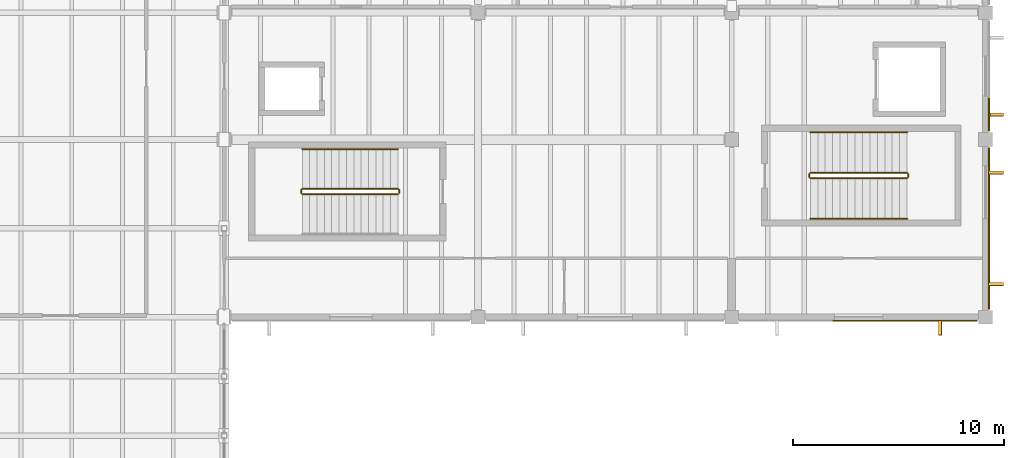
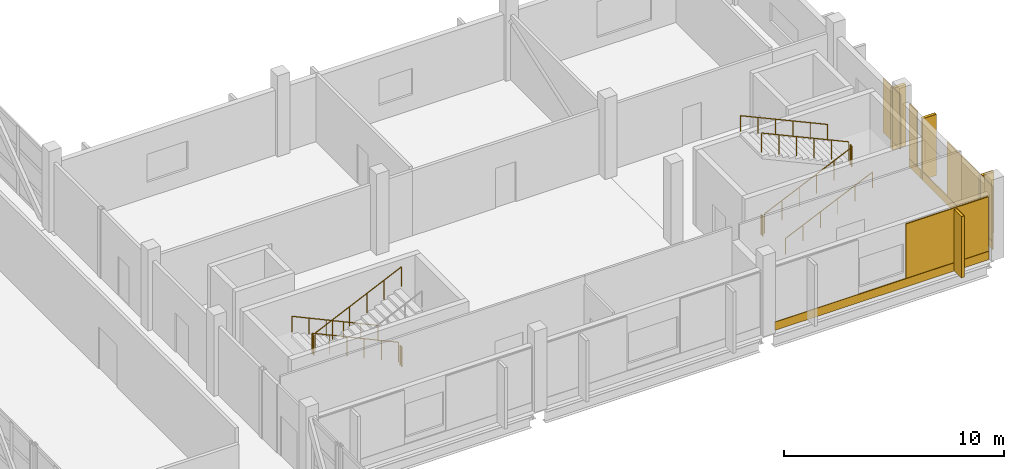
# One storey, part 62 of 63: 11 railings, 10 coverings, 4 shading devices.
"""IFC4 building model written with IfcOpenShell, lengths in metres."""

from ifc_helpers import new_model, si_unit, direction, frame, origin, origin_2d, place, context, subcontext, project, spatial, rectangle, circle, extrude, material, layer, layer_set, type_object, element, save


model = new_model("IFC4")

# Units and contexts
model_context = context("Model", 3, precision=1e-05, world=origin(), true_north=direction((0.0, 1.0)))
body_context = subcontext(model_context, "Body", "Model", "MODEL_VIEW")
ifc_project = project(units=[si_unit("LENGTHUNIT", "METRE"), si_unit("AREAUNIT", "SQUARE_METRE"), si_unit("VOLUMEUNIT", "CUBIC_METRE"), si_unit("PLANEANGLEUNIT", "RADIAN"), si_unit("MASSUNIT", "GRAM", prefix="KILO")], contexts=[model_context])

# Site, building, storey
site_placement = place(None, origin())
site = spatial("IfcSite", under=ifc_project, at=site_placement, CompositionType="ELEMENT")
building_placement = place(site_placement, origin())
building = spatial("IfcBuilding", under=site, at=building_placement, Name="Kelmvaro Bay Concert Hall", CompositionType="ELEMENT")
storey_placement = place(building_placement, frame((0.0, 0.0, 13.800048828125)))
storey = spatial("IfcBuildingStorey", under=building, at=storey_placement, Name="L03", CompositionType="ELEMENT", Elevation=13.800048828125)

# Shading devices
ifc_material_1 = material(Name="Anodised Extruded Aluminium 6063-T6", Category="aluminium")
ifc_layer_1 = layer(ifc_material_1, 3.39990234375)
ifc_layer_set_1 = layer_set([ifc_layer_1], Name="Anodised Extruded Aluminium 6063-T6")
shading_device_type = type_object("IfcShadingDeviceType", Name="Bauhaus Vertical Solar Brise-Soleil Fin 720x3400", PredefinedType="SHUTTER", material=ifc_layer_set_1)
for number, where, z_axis, x_axis, name in (
    (1, (165.85888671875, 15.10400390625, 0.06005859375), (0.0, 0.0, 1.0), (-1.0, 0.0, 0.0), "L03 Solar Brise-Soleil Fin 171"),
    (2, (168.49609375, 22.43505859375, 0.06005859375), (0.0, 0.0, 1.0), (0.0, -1.0, 0.0), "L03 Solar Brise-Soleil Fin 179"),
    (3, (168.49609375, 17.1650390625, 0.06005859375), (0.0, 0.0, 1.0), (0.0, -1.0, 0.0), "L03 Solar Brise-Soleil Fin 180"),
    (4, (168.49609375, 25.180908203125, 0.06005859375), (0.0, 0.0, 1.0), (0.0, -1.0, 0.0), "L03 Solar Brise-Soleil Fin 182"),
):
    element("IfcShadingDevice", number, at=place(storey_placement, frame(where, z_axis=z_axis, x_axis=x_axis)), inside=storey, type_object=shading_device_type, Name=name, PredefinedType="SHUTTER", context=body_context, shape_type="SweptSolid", body=[
        extrude(rectangle(XDim=0.159912109375, YDim=0.719970703125, at=origin_2d()), origin(), (0.0, 0.0, 1.0), 3.39990234375),
    ])

# Coverings
ifc_material_2 = material(Name="PVDF-Coated Architectural Aluminium", Category="aluminium")
ifc_layer_2 = layer(ifc_material_2, 0.0400390625)
ifc_layer_set_2 = layer_set([ifc_layer_2], Name="PVDF-Coated Architectural Aluminium")
covering_type_1 = type_object("IfcCoveringType", Name="De Stijl Enamelled Aluminium Fascia Panel 40", PredefinedType="CLADDING", material=ifc_layer_set_2)
for number, where, z_axis, x_axis, name in (
    (5, (165.85888671875, 15.10400390625, 0.06005859375), (0.0, 0.0, 1.0), (-1.0, 0.0, 0.0), "L03 Architectural Vertical Fin Cladding 0808"),
    (6, (168.49609375, 22.43505859375, 0.06005859375), (0.0, 0.0, 1.0), (0.0, -1.0, 0.0), "L03 Architectural Vertical Fin Cladding 0828"),
    (7, (168.49609375, 17.1650390625, 0.06005859375), (0.0, 0.0, 1.0), (0.0, -1.0, 0.0), "L03 Architectural Vertical Fin Cladding 0829"),
    (8, (168.49609375, 25.180908203125, 0.06005859375), (0.0, 0.0, 1.0), (0.0, -1.0, 0.0), "L03 Architectural Vertical Fin Cladding 0834"),
):
    element("IfcCovering", number, at=place(storey_placement, frame(where, z_axis=z_axis, x_axis=x_axis)), inside=storey, type_object=covering_type_1, Name=name, PredefinedType="CLADDING", context=body_context, shape_type="SweptSolid", body=[
        extrude(rectangle(XDim=0.139892578125, YDim=0.699951171875, at=origin_2d()), origin(), (0.0, 0.0, 1.0), 3.39990234375),
    ])
ifc_material_3 = material(Name="Honed Florida Limestone Travertine", Category="masonry")
ifc_layer_3 = layer(ifc_material_3, 0.054931640625)
ifc_layer_set_3 = layer_set([ifc_layer_3], Name="Honed Florida Limestone Travertine")
covering_type_2 = type_object("IfcCoveringType", Name="Honed Florida Travertine Rainscreen Cladding 55", PredefinedType="CLADDING", material=ifc_layer_set_3)
covering_1_placement = place(storey_placement, frame((162.0, 15.4345703125, 0.0400390625), z_axis=(0.0, 0.0, 1.0), x_axis=(-1.0, 0.0, 0.0)))
element("IfcCovering", 9, at=covering_1_placement, inside=storey, type_object=covering_type_2, Name="L03 Travertine Sill Band 0807", PredefinedType="CLADDING", context=body_context, shape_type="SweptSolid", body=[
    extrude(rectangle(XDim=11.22998046875, YDim=0.054931640625, at=origin_2d()), origin(), (0.0, 0.0, 1.0), 0.4599609375),
])
covering_2_placement = place(storey_placement, frame((165.422607421875, 15.4345703125, 0.52001953125), z_axis=(0.0, 0.0, 1.0), x_axis=(-1.0, 0.0, 0.0)))
element("IfcCovering", 10, at=covering_2_placement, inside=storey, type_object=covering_type_2, Name="L03 Travertine Pier Panel 0810", PredefinedType="CLADDING", context=body_context, shape_type="SweptSolid", body=[
    extrude(rectangle(XDim=4.344970703125, YDim=0.054931640625, at=origin_2d()), origin(), (0.0, 0.0, 1.0), 3.01904296875),
])
covering_3_placement = place(storey_placement, frame((168.16552734375, 19.800048828125, 0.0400390625), z_axis=(0.0, 0.0, 1.0), x_axis=(0.0, -1.0, 0.0)))
element("IfcCovering", 11, at=covering_3_placement, inside=storey, type_object=covering_type_2, Name="L03 Travertine Sill Band 0827", PredefinedType="CLADDING", context=body_context, shape_type="SweptSolid", body=[
    extrude(rectangle(XDim=7.6298828125, YDim=0.054931640625, at=origin_2d()), origin(), (0.0, 0.0, 1.0), 0.4599609375),
])
covering_4_placement = place(storey_placement, frame((168.16552734375, 23.22509765625, 0.52001953125), z_axis=(0.0, 0.0, 1.0), x_axis=(0.0, -1.0, 0.0)))
element("IfcCovering", 12, at=covering_4_placement, inside=storey, type_object=covering_type_2, Name="L03 Travertine Pier Panel 0830", PredefinedType="CLADDING", context=body_context, shape_type="SweptSolid", body=[
    extrude(rectangle(XDim=0.739990234375, YDim=0.054931640625, at=origin_2d()), origin(), (0.0, 0.0, 1.0), 3.01806640625),
])
covering_5_placement = place(storey_placement, frame((168.16552734375, 18.080078125, 0.52001953125), z_axis=(0.0, 0.0, 1.0), x_axis=(0.0, -1.0, 0.0)))
element("IfcCovering", 13, at=covering_5_placement, inside=storey, type_object=covering_type_2, Name="L03 Travertine Pier Panel 0831", PredefinedType="CLADDING", context=body_context, shape_type="SweptSolid", body=[
    extrude(rectangle(XDim=4.14990234375, YDim=0.054931640625, at=origin_2d()), origin(), (0.0, 0.0, 1.0), 3.01806640625),
])
covering_6_placement = place(storey_placement, frame((168.16552734375, 25.177490234375, 0.52001953125), z_axis=(0.0, 0.0, 1.0), x_axis=(0.0, -1.0, 0.0)))
element("IfcCovering", 14, at=covering_6_placement, inside=storey, type_object=covering_type_2, Name="L03 Travertine Pier Panel 0836", PredefinedType="CLADDING", context=body_context, shape_type="SweptSolid", body=[
    extrude(rectangle(XDim=1.544921875, YDim=0.054931640625, at=origin_2d()), origin(), (0.0, 0.0, 1.0), 3.01806640625),
])

# Railings
ifc_material_4 = material(Name="Brushed Stainless Steel 316", Category="steel")
railing_type_1 = type_object("IfcRailingType", Name="Stair Stainless Wall Handrail 900", PredefinedType="HANDRAIL", material=ifc_material_4)
railing_1_placement = place(storey_placement, frame((140.219970703125, 23.550048828125, 0.16064453125)))
element("IfcRailing", 15, at=railing_1_placement, inside=storey, type_object=railing_type_1, Name="L03 ST-05 stair handrail 1", PredefinedType="HANDRAIL", context=body_context, shape_type="SweptSolid", body=[
    extrude(circle(Radius=0.02392578125, at=origin_2d()), frame((0.0, 0.0, 0.8759765625), z_axis=(-0.907853242209, 0.0, 0.419288075922), x_axis=(0.0, -1.0, 0.0)), (0.0, 0.0, 1.0), 4.983154296875),
    extrude(circle(Radius=0.02099609375, at=origin_2d()), origin(), (0.0, 0.0, 1.0), 0.851806640625),
    extrude(circle(Radius=0.02099609375, at=origin_2d()), frame((-0.90478515625, 0.0, 0.41796875)), (0.0, 0.0, 1.0), 0.851806640625),
    extrude(circle(Radius=0.02099609375, at=origin_2d()), frame((-1.8095703125, 0.0, 0.835693359375)), (0.0, 0.0, 1.0), 0.851806640625),
    extrude(circle(Radius=0.02099609375, at=origin_2d()), frame((-2.71435546875, 0.0, 1.253662109375)), (0.0, 0.0, 1.0), 0.851806640625),
    extrude(circle(Radius=0.02099609375, at=origin_2d()), frame((-3.619140625, 0.0, 1.67138671875)), (0.0, 0.0, 1.0), 0.851806640625),
    extrude(circle(Radius=0.02099609375, at=origin_2d()), frame((-4.52392578125, 0.0, 2.08935546875)), (0.0, 0.0, 1.0), 0.851806640625),
])
railing_2_placement = place(storey_placement, frame((159.719970703125, 20.25, 0.16064453125)))
element("IfcRailing", 16, at=railing_2_placement, inside=storey, type_object=railing_type_1, Name="L03 ST-06 stair handrail 1", PredefinedType="HANDRAIL", context=body_context, shape_type="SweptSolid", body=[
    extrude(circle(Radius=0.02392578125, at=origin_2d()), frame((0.0, 0.0, 0.8759765625), z_axis=(0.909662093554, 0.0, 0.415349100818), x_axis=(0.0, 1.0, 0.0)), (0.0, 0.0, 1.0), 5.0302734375),
    extrude(circle(Radius=0.02099609375, at=origin_2d()), origin(), (0.0, 0.0, 1.0), 0.851806640625),
    extrude(circle(Radius=0.02099609375, at=origin_2d()), frame((0.915283203125, 0.0, 0.41796875)), (0.0, 0.0, 1.0), 0.851806640625),
    extrude(circle(Radius=0.02099609375, at=origin_2d()), frame((1.830322265625, 0.0, 0.835693359375)), (0.0, 0.0, 1.0), 0.851806640625),
    extrude(circle(Radius=0.02099609375, at=origin_2d()), frame((2.74560546875, 0.0, 1.253662109375)), (0.0, 0.0, 1.0), 0.851806640625),
    extrude(circle(Radius=0.02099609375, at=origin_2d()), frame((3.66064453125, 0.0, 1.67138671875)), (0.0, 0.0, 1.0), 0.851806640625),
    extrude(circle(Radius=0.02099609375, at=origin_2d()), frame((4.575927734375, 0.0, 2.08935546875)), (0.0, 0.0, 1.0), 0.851806640625),
])
railing_3_placement = place(storey_placement, frame((164.2958984375, 24.340087890625, 2.41064453125)))
element("IfcRailing", 17, at=railing_3_placement, inside=storey, type_object=railing_type_1, Name="L03 ST-06 stair handrail 2", PredefinedType="HANDRAIL", context=body_context, shape_type="SweptSolid", body=[
    extrude(circle(Radius=0.02392578125, at=origin_2d()), frame((0.0, 0.0, 0.8759765625), z_axis=(-0.909662093554, 0.0, 0.415349100818), x_axis=(0.0, -1.0, 0.0)), (0.0, 0.0, 1.0), 5.0302734375),
    extrude(circle(Radius=0.02099609375, at=origin_2d()), origin(), (0.0, 0.0, 1.0), 0.851806640625),
    extrude(circle(Radius=0.02099609375, at=origin_2d()), frame((-0.915283203125, 0.0, 0.41796875)), (0.0, 0.0, 1.0), 0.851806640625),
    extrude(circle(Radius=0.02099609375, at=origin_2d()), frame((-1.830322265625, 0.0, 0.835693359375)), (0.0, 0.0, 1.0), 0.851806640625),
    extrude(circle(Radius=0.02099609375, at=origin_2d()), frame((-2.74560546875, 0.0, 1.253662109375)), (0.0, 0.0, 1.0), 0.851806640625),
    extrude(circle(Radius=0.02099609375, at=origin_2d()), frame((-3.66064453125, 0.0, 1.67138671875)), (0.0, 0.0, 1.0), 0.851806640625),
    extrude(circle(Radius=0.02099609375, at=origin_2d()), frame((-4.575927734375, 0.0, 2.08935546875)), (0.0, 0.0, 1.0), 0.851806640625),
])
ifc_material_5 = material(Name="Powder-Coated Steel ASTM A500", Category="steel")
railing_type_2 = type_object("IfcRailingType", Name="Stair Well Painted Steel Guard 1100", PredefinedType="BALUSTRADE", material=ifc_material_5)
railing_4_placement = place(storey_placement, frame((140.219970703125, 21.669921875, 0.16064453125)))
element("IfcRailing", 18, at=railing_4_placement, inside=storey, type_object=railing_type_2, Name="L03 ST-05 stair guard 1", PredefinedType="BALUSTRADE", context=body_context, shape_type="SweptSolid", body=[
    extrude(circle(Radius=0.02392578125, at=origin_2d()), frame((0.0, 0.0, 1.076171875), z_axis=(-0.907853242209, 0.0, 0.419288075922), x_axis=(0.0, -1.0, 0.0)), (0.0, 0.0, 1.0), 4.983154296875),
    extrude(circle(Radius=0.02099609375, at=origin_2d()), origin(), (0.0, 0.0, 1.0), 1.052001953125),
    extrude(circle(Radius=0.02099609375, at=origin_2d()), frame((-0.90478515625, 0.0, 0.41796875)), (0.0, 0.0, 1.0), 1.052001953125),
    extrude(circle(Radius=0.02099609375, at=origin_2d()), frame((-1.8095703125, 0.0, 0.835693359375)), (0.0, 0.0, 1.0), 1.052001953125),
    extrude(circle(Radius=0.02099609375, at=origin_2d()), frame((-2.71435546875, 0.0, 1.253662109375)), (0.0, 0.0, 1.0), 1.052001953125),
    extrude(circle(Radius=0.02099609375, at=origin_2d()), frame((-3.619140625, 0.0, 1.67138671875)), (0.0, 0.0, 1.0), 1.052001953125),
    extrude(circle(Radius=0.02099609375, at=origin_2d()), frame((-4.52392578125, 0.0, 2.08935546875)), (0.0, 0.0, 1.0), 1.052001953125),
])
railing_5_placement = place(storey_placement, frame((135.64599609375, 21.6201171875, 2.25)))
element("IfcRailing", 19, at=railing_5_placement, inside=storey, type_object=railing_type_2, Name="L03 ST-05 stair guard 2", PredefinedType="BALUSTRADE", context=body_context, shape_type="SweptSolid", body=[
    extrude(circle(Radius=0.02392578125, at=origin_2d()), frame((0.0, 0.0, 1.076171875), z_axis=(0.0, -1.0, 0.0), x_axis=(1.0, 0.0, 0.0)), (0.0, 0.0, 1.0), 0.150146484375),
    extrude(circle(Radius=0.02099609375, at=origin_2d()), origin(), (0.0, 0.0, 1.0), 1.052001953125),
    extrude(circle(Radius=0.02099609375, at=origin_2d()), frame((0.0, -0.150146484375, 0.0)), (0.0, 0.0, 1.0), 1.052001953125),
])
railing_6_placement = place(storey_placement, frame((135.696044921875, 21.419921875, 2.41064453125)))
element("IfcRailing", 20, at=railing_6_placement, inside=storey, type_object=railing_type_2, Name="L03 ST-05 stair guard 3", PredefinedType="BALUSTRADE", context=body_context, shape_type="SweptSolid", body=[
    extrude(circle(Radius=0.02392578125, at=origin_2d()), frame((0.0, 0.0, 1.076171875), z_axis=(0.907853242209, 0.0, 0.419288075922), x_axis=(0.0, 1.0, 0.0)), (0.0, 0.0, 1.0), 4.983154296875),
    extrude(circle(Radius=0.02099609375, at=origin_2d()), origin(), (0.0, 0.0, 1.0), 1.052001953125),
    extrude(circle(Radius=0.02099609375, at=origin_2d()), frame((0.90478515625, 0.0, 0.41796875)), (0.0, 0.0, 1.0), 1.052001953125),
    extrude(circle(Radius=0.02099609375, at=origin_2d()), frame((1.8095703125, 0.0, 0.835693359375)), (0.0, 0.0, 1.0), 1.052001953125),
    extrude(circle(Radius=0.02099609375, at=origin_2d()), frame((2.71435546875, 0.0, 1.253662109375)), (0.0, 0.0, 1.0), 1.052001953125),
    extrude(circle(Radius=0.02099609375, at=origin_2d()), frame((3.619140625, 0.0, 1.67138671875)), (0.0, 0.0, 1.0), 1.052001953125),
    extrude(circle(Radius=0.02099609375, at=origin_2d()), frame((4.52392578125, 0.0, 2.08935546875)), (0.0, 0.0, 1.0), 1.052001953125),
])
railing_7_placement = place(storey_placement, frame((140.27001953125, 21.6201171875, 0.0)))
element("IfcRailing", 21, at=railing_7_placement, inside=storey, type_object=railing_type_2, Name="L03 ST-05 stair guard 4", PredefinedType="BALUSTRADE", context=body_context, shape_type="SweptSolid", body=[
    extrude(circle(Radius=0.02392578125, at=origin_2d()), frame((0.0, 0.0, 1.076171875), z_axis=(0.0, -1.0, 0.0), x_axis=(1.0, 0.0, 0.0)), (0.0, 0.0, 1.0), 0.150146484375),
    extrude(circle(Radius=0.02099609375, at=origin_2d()), origin(), (0.0, 0.0, 1.0), 1.052001953125),
    extrude(circle(Radius=0.02099609375, at=origin_2d()), frame((0.0, -0.150146484375, 0.0)), (0.0, 0.0, 1.0), 1.052001953125),
])
railing_8_placement = place(storey_placement, frame((159.719970703125, 22.169921875, 0.16064453125)))
element("IfcRailing", 22, at=railing_8_placement, inside=storey, type_object=railing_type_2, Name="L03 ST-06 stair guard 1", PredefinedType="BALUSTRADE", context=body_context, shape_type="SweptSolid", body=[
    extrude(circle(Radius=0.02392578125, at=origin_2d()), frame((0.0, 0.0, 1.076171875), z_axis=(0.909662093554, 0.0, 0.415349100818), x_axis=(0.0, 1.0, 0.0)), (0.0, 0.0, 1.0), 5.0302734375),
    extrude(circle(Radius=0.02099609375, at=origin_2d()), origin(), (0.0, 0.0, 1.0), 1.052001953125),
    extrude(circle(Radius=0.02099609375, at=origin_2d()), frame((0.915283203125, 0.0, 0.41796875)), (0.0, 0.0, 1.0), 1.052001953125),
    extrude(circle(Radius=0.02099609375, at=origin_2d()), frame((1.830322265625, 0.0, 0.835693359375)), (0.0, 0.0, 1.0), 1.052001953125),
    extrude(circle(Radius=0.02099609375, at=origin_2d()), frame((2.74560546875, 0.0, 1.253662109375)), (0.0, 0.0, 1.0), 1.052001953125),
    extrude(circle(Radius=0.02099609375, at=origin_2d()), frame((3.66064453125, 0.0, 1.67138671875)), (0.0, 0.0, 1.0), 1.052001953125),
    extrude(circle(Radius=0.02099609375, at=origin_2d()), frame((4.575927734375, 0.0, 2.08935546875)), (0.0, 0.0, 1.0), 1.052001953125),
])
railing_9_placement = place(storey_placement, frame((164.345947265625, 22.219970703125, 2.25)))
element("IfcRailing", 23, at=railing_9_placement, inside=storey, type_object=railing_type_2, Name="L03 ST-06 stair guard 2", PredefinedType="BALUSTRADE", context=body_context, shape_type="SweptSolid", body=[
    extrude(circle(Radius=0.02392578125, at=origin_2d()), frame((0.0, 0.0, 1.076171875), z_axis=(0.0, 1.0, 0.0), x_axis=(-1.0, 0.0, 0.0)), (0.0, 0.0, 1.0), 0.150146484375),
    extrude(circle(Radius=0.02099609375, at=origin_2d()), origin(), (0.0, 0.0, 1.0), 1.052001953125),
    extrude(circle(Radius=0.02099609375, at=origin_2d()), frame((0.0, 0.150146484375, 0.0)), (0.0, 0.0, 1.0), 1.052001953125),
])
railing_10_placement = place(storey_placement, frame((164.2958984375, 22.419921875, 2.41064453125)))
element("IfcRailing", 24, at=railing_10_placement, inside=storey, type_object=railing_type_2, Name="L03 ST-06 stair guard 3", PredefinedType="BALUSTRADE", context=body_context, shape_type="SweptSolid", body=[
    extrude(circle(Radius=0.02392578125, at=origin_2d()), frame((0.0, 0.0, 1.076171875), z_axis=(-0.909662093554, 0.0, 0.415349100818), x_axis=(0.0, -1.0, 0.0)), (0.0, 0.0, 1.0), 5.0302734375),
    extrude(circle(Radius=0.02099609375, at=origin_2d()), origin(), (0.0, 0.0, 1.0), 1.052001953125),
    extrude(circle(Radius=0.02099609375, at=origin_2d()), frame((-0.915283203125, 0.0, 0.41796875)), (0.0, 0.0, 1.0), 1.052001953125),
    extrude(circle(Radius=0.02099609375, at=origin_2d()), frame((-1.830322265625, 0.0, 0.835693359375)), (0.0, 0.0, 1.0), 1.052001953125),
    extrude(circle(Radius=0.02099609375, at=origin_2d()), frame((-2.74560546875, 0.0, 1.253662109375)), (0.0, 0.0, 1.0), 1.052001953125),
    extrude(circle(Radius=0.02099609375, at=origin_2d()), frame((-3.66064453125, 0.0, 1.67138671875)), (0.0, 0.0, 1.0), 1.052001953125),
    extrude(circle(Radius=0.02099609375, at=origin_2d()), frame((-4.575927734375, 0.0, 2.08935546875)), (0.0, 0.0, 1.0), 1.052001953125),
])
railing_11_placement = place(storey_placement, frame((159.669921875, 22.219970703125, 0.0)))
element("IfcRailing", 25, at=railing_11_placement, inside=storey, type_object=railing_type_2, Name="L03 ST-06 stair guard 4", PredefinedType="BALUSTRADE", context=body_context, shape_type="SweptSolid", body=[
    extrude(circle(Radius=0.02392578125, at=origin_2d()), frame((0.0, 0.0, 1.076171875), z_axis=(0.0, 1.0, 0.0), x_axis=(-1.0, 0.0, 0.0)), (0.0, 0.0, 1.0), 0.150146484375),
    extrude(circle(Radius=0.02099609375, at=origin_2d()), origin(), (0.0, 0.0, 1.0), 1.052001953125),
    extrude(circle(Radius=0.02099609375, at=origin_2d()), frame((0.0, 0.150146484375, 0.0)), (0.0, 0.0, 1.0), 1.052001953125),
])

save(model, "model.ifc")
